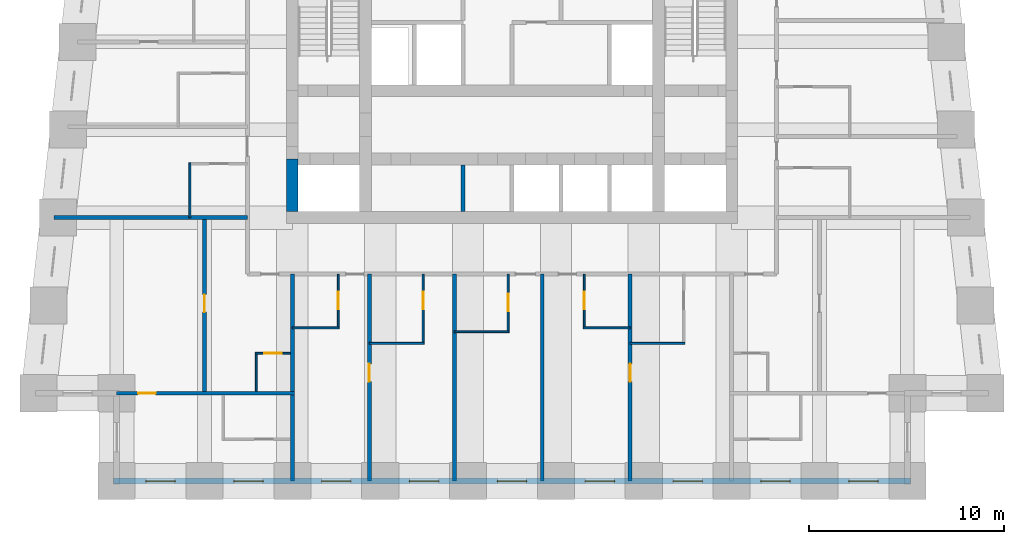
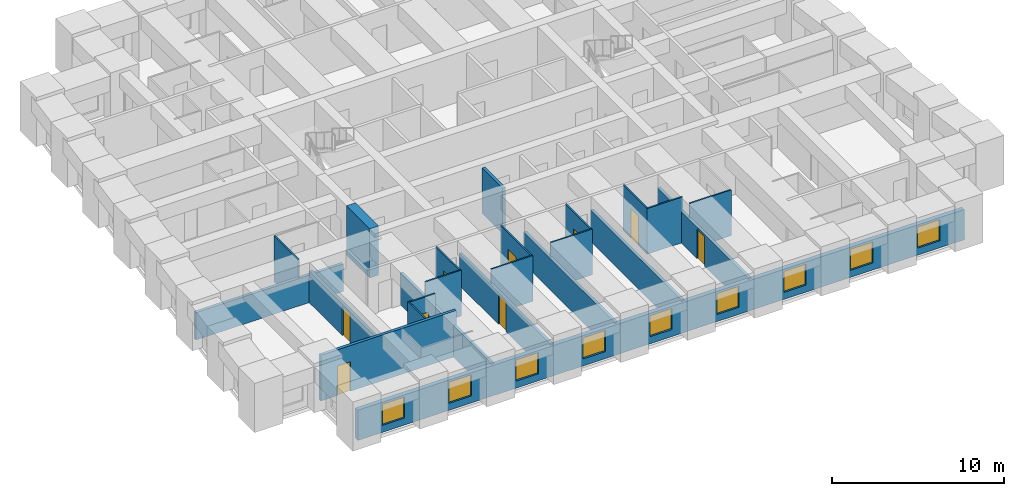
# One storey, part 2 of 8: 23 walls, 9 doors, 9 windows, 18 openings.
"""IFC4 building model written with IfcOpenShell, lengths in metres."""

from ifc_helpers import new_model, si_unit, direction, frame, frame_2d, origin, place, context, subcontext, project, spatial, rectangle, extrude, material, layer, layer_set, type_object, element, fill, save


model = new_model("IFC4")

# Units and contexts
model_context = context("Model", 3, precision=1e-05, world=origin(), true_north=direction((0.0, 1.0)))
body_context = subcontext(model_context, "Body", "Model", "MODEL_VIEW")
ifc_project = project(units=[si_unit("LENGTHUNIT", "METRE"), si_unit("AREAUNIT", "SQUARE_METRE"), si_unit("VOLUMEUNIT", "CUBIC_METRE"), si_unit("PLANEANGLEUNIT", "RADIAN"), si_unit("MASSUNIT", "GRAM", prefix="KILO")], contexts=[model_context])

# Site, building, storey
site_placement = place(None, origin())
site = spatial("IfcSite", under=ifc_project, at=site_placement, CompositionType="ELEMENT")
building_placement = place(site_placement, origin())
building = spatial("IfcBuilding", under=site, at=building_placement, Name="Kilele Tower Hotel", CompositionType="ELEMENT")
storey_placement = place(building_placement, frame((0.0, 0.0, 114.39990234375)))
storey = spatial("IfcBuildingStorey", under=building, at=storey_placement, Name="L29", CompositionType="ELEMENT", Elevation=114.39990234375)

# Wall
ifc_material_1 = material(Name="Moisture-resistant board")
ifc_layer_1 = layer(ifc_material_1, 0.10009765625)
ifc_layer_set_1 = layer_set([ifc_layer_1], Name="Moisture-resistant board")
wall_type_1 = type_object("IfcWallType", Name="Bathroom partition 100", PredefinedType="PLUMBINGWALL", material=ifc_layer_set_1)
wall_1_placement = place(storey_placement, frame((13.5, 7.85009765625, 0.0), z_axis=(0.0, 0.0, 1.0), x_axis=(1.0, 0.0, 0.0)))
element("IfcWall", 1, at=wall_1_placement, inside=storey, type_object=wall_type_1, Name="Bathroom partition 100 L29", PredefinedType="PLUMBINGWALL", context=body_context, shape_type="SweptSolid", body=[
    extrude(rectangle(XDim=2.39990234375, YDim=0.10009765625, at=frame_2d((1.199951171875, 0.0))), origin(), (0.0, 0.0, 1.0), 3.25),
])

# Wall, opening, door
wall_2_placement = place(storey_placement, frame((15.85009765625, 10.60009765625, 0.0), z_axis=(0.0, 0.0, 1.0), x_axis=(0.0, -1.0, 0.0)))
wall_2 = element("IfcWall", 2, at=wall_2_placement, inside=storey, type_object=wall_type_1, Name="Bathroom partition 100 L29", PredefinedType="PLUMBINGWALL", context=body_context, shape_type="SweptSolid", body=[
    extrude(rectangle(XDim=2.800048828125, YDim=0.10009765625, at=frame_2d((1.39990234375, 0.0))), origin(), (0.0, 0.0, 1.0), 3.25),
])
opening_1_placement = place(wall_2_placement, frame((0.89990234375, 0.0, 0.0)))
opening_1 = element("IfcOpeningElement", 3, at=opening_1_placement, cuts=wall_2, Name="Opening D2A", PredefinedType="OPENING", context=body_context, shape_type="SweptSolid", body=[
    extrude(rectangle(XDim=0.89990234375, YDim=2.10009765625, at=frame_2d((0.449951171875, 1.050048828125))), frame((0.0, 0.06005859375, 0.0), z_axis=(0.0, -1.0, 0.0), x_axis=(1.0, 0.0, 0.0)), (0.0, 0.0, 1.0), 0.1201171875),
])
ifc_material_2 = material(Name="Timber door leaf in hardwood frame", Category="wood")
door_type_1 = type_object("IfcDoorType", Name="Bathroom door 900", OperationType="SINGLE_SWING_LEFT", PredefinedType="DOOR", material=ifc_material_2)
door_1_placement = place(opening_1_placement, origin())
door_1 = element("IfcDoor", 4, at=door_1_placement, inside=storey, type_object=door_type_1, Name="Bathroom door 2901B", OperationType="SINGLE_SWING_LEFT", OverallHeight=2.10009765625, OverallWidth=0.89990234375, PredefinedType="DOOR", context=body_context, shape_type="SweptSolid", body=[
    extrude(rectangle(XDim=0.89990234375, YDim=2.10009765625, at=frame_2d((0.449951171875, 1.050048828125))), frame((0.0, 0.02490234375, 0.0), z_axis=(0.0, -1.0, 0.0), x_axis=(1.0, 0.0, 0.0)), (0.0, 0.0, 1.0), 0.050048828125),
])
fill(opening_1, door_1)

# Wall
wall_3_placement = place(storey_placement, frame((17.449951171875, 7.050048828125, 0.0), z_axis=(0.0, 0.0, 1.0), x_axis=(1.0, 0.0, 0.0)))
element("IfcWall", 5, at=wall_3_placement, inside=storey, type_object=wall_type_1, Name="Bathroom partition 100 L29", PredefinedType="PLUMBINGWALL", context=body_context, shape_type="SweptSolid", body=[
    extrude(rectangle(XDim=2.800048828125, YDim=0.10009765625, at=frame_2d((1.39990234375, 0.0))), origin(), (0.0, 0.0, 1.0), 3.25),
])

# Wall, opening, door
wall_4_placement = place(storey_placement, frame((20.199951171875, 10.60009765625, 0.0), z_axis=(0.0, 0.0, 1.0), x_axis=(0.0, -1.0, 0.0)))
wall_4 = element("IfcWall", 6, at=wall_4_placement, inside=storey, type_object=wall_type_1, Name="Bathroom partition 100 L29", PredefinedType="PLUMBINGWALL", context=body_context, shape_type="SweptSolid", body=[
    extrude(rectangle(XDim=3.60009765625, YDim=0.10009765625, at=frame_2d((1.800048828125, 0.0))), origin(), (0.0, 0.0, 1.0), 3.25),
])
opening_2_placement = place(wall_4_placement, frame((0.89990234375, 0.0, 0.0)))
opening_2 = element("IfcOpeningElement", 7, at=opening_2_placement, cuts=wall_4, Name="Opening D2A", PredefinedType="OPENING", context=body_context, shape_type="SweptSolid", body=[
    extrude(rectangle(XDim=0.89990234375, YDim=2.10009765625, at=frame_2d((0.449951171875, 1.050048828125))), frame((0.0, 0.06005859375, 0.0), z_axis=(0.0, -1.0, 0.0), x_axis=(1.0, 0.0, 0.0)), (0.0, 0.0, 1.0), 0.1201171875),
])
door_2_placement = place(opening_2_placement, origin())
door_2 = element("IfcDoor", 8, at=door_2_placement, inside=storey, type_object=door_type_1, Name="Bathroom door 2902B", OperationType="SINGLE_SWING_LEFT", OverallHeight=2.10009765625, OverallWidth=0.89990234375, PredefinedType="DOOR", context=body_context, shape_type="SweptSolid", body=[
    extrude(rectangle(XDim=0.89990234375, YDim=2.10009765625, at=frame_2d((0.449951171875, 1.050048828125))), frame((0.0, 0.02490234375, 0.0), z_axis=(0.0, -1.0, 0.0), x_axis=(1.0, 0.0, 0.0)), (0.0, 0.0, 1.0), 0.050048828125),
])
fill(opening_2, door_2)

# Wall
wall_5_placement = place(storey_placement, frame((21.800048828125, 7.64990234375, 0.0), z_axis=(0.0, 0.0, 1.0), x_axis=(1.0, 0.0, 0.0)))
element("IfcWall", 9, at=wall_5_placement, inside=storey, type_object=wall_type_1, Name="Bathroom partition 100 L29", PredefinedType="PLUMBINGWALL", context=body_context, shape_type="SweptSolid", body=[
    extrude(rectangle(XDim=2.800048828125, YDim=0.10009765625, at=frame_2d((1.39990234375, 0.0))), origin(), (0.0, 0.0, 1.0), 3.25),
])

# Wall, opening, door
wall_6_placement = place(storey_placement, frame((24.550048828125, 10.60009765625, 0.0), z_axis=(0.0, 0.0, 1.0), x_axis=(0.0, -1.0, 0.0)))
wall_6 = element("IfcWall", 10, at=wall_6_placement, inside=storey, type_object=wall_type_1, Name="Bathroom partition 100 L29", PredefinedType="PLUMBINGWALL", context=body_context, shape_type="SweptSolid", body=[
    extrude(rectangle(XDim=3.0, YDim=0.10009765625, at=frame_2d((1.5, 0.0))), origin(), (0.0, 0.0, 1.0), 3.25),
])
opening_3_placement = place(wall_6_placement, frame((1.0, 0.0, 0.0)))
opening_3 = element("IfcOpeningElement", 11, at=opening_3_placement, cuts=wall_6, Name="Opening D2A", PredefinedType="OPENING", context=body_context, shape_type="SweptSolid", body=[
    extrude(rectangle(XDim=0.89990234375, YDim=2.10009765625, at=frame_2d((0.449951171875, 1.050048828125))), frame((0.0, 0.06005859375, 0.0), z_axis=(0.0, -1.0, 0.0), x_axis=(1.0, 0.0, 0.0)), (0.0, 0.0, 1.0), 0.1201171875),
])
door_3_placement = place(opening_3_placement, origin())
door_3 = element("IfcDoor", 12, at=door_3_placement, inside=storey, type_object=door_type_1, Name="Bathroom door 2903B", OperationType="SINGLE_SWING_LEFT", OverallHeight=2.10009765625, OverallWidth=0.89990234375, PredefinedType="DOOR", context=body_context, shape_type="SweptSolid", body=[
    extrude(rectangle(XDim=0.89990234375, YDim=2.10009765625, at=frame_2d((0.449951171875, 1.050048828125))), frame((0.0, 0.02490234375, 0.0), z_axis=(0.0, -1.0, 0.0), x_axis=(1.0, 0.0, 0.0)), (0.0, 0.0, 1.0), 0.050048828125),
])
fill(opening_3, door_3)

# Wall
wall_7_placement = place(storey_placement, frame((28.39990234375, 7.85009765625, 0.0), z_axis=(0.0, 0.0, 1.0), x_axis=(1.0, 0.0, 0.0)))
element("IfcWall", 13, at=wall_7_placement, inside=storey, type_object=wall_type_1, Name="Bathroom partition 100 L29", PredefinedType="PLUMBINGWALL", context=body_context, shape_type="SweptSolid", body=[
    extrude(rectangle(XDim=2.400146484375, YDim=0.10009765625, at=frame_2d((1.2001953125, 0.0))), origin(), (0.0, 0.0, 1.0), 3.25),
])

# Wall, opening, door
wall_8_placement = place(storey_placement, frame((28.449951171875, 10.60009765625, 0.0), z_axis=(0.0, 0.0, 1.0), x_axis=(0.0, -1.0, 0.0)))
wall_8 = element("IfcWall", 14, at=wall_8_placement, inside=storey, type_object=wall_type_1, Name="Bathroom partition 100 L29", PredefinedType="PLUMBINGWALL", context=body_context, shape_type="SweptSolid", body=[
    extrude(rectangle(XDim=2.800048828125, YDim=0.10009765625, at=frame_2d((1.39990234375, 0.0))), origin(), (0.0, 0.0, 1.0), 3.25),
])
opening_4_placement = place(wall_8_placement, frame((1.7998046875, 0.0, 0.0), z_axis=(0.0, 0.0, 1.0), x_axis=(-1.0, 0.0, 0.0)))
opening_4 = element("IfcOpeningElement", 15, at=opening_4_placement, cuts=wall_8, Name="Opening D2A", PredefinedType="OPENING", context=body_context, shape_type="SweptSolid", body=[
    extrude(rectangle(XDim=0.89990234375, YDim=2.10009765625, at=frame_2d((0.449951171875, 1.050048828125))), frame((0.0, 0.06005859375, 0.0), z_axis=(0.0, -1.0, 0.0), x_axis=(1.0, 0.0, 0.0)), (0.0, 0.0, 1.0), 0.1201171875),
])
door_4_placement = place(opening_4_placement, origin())
door_4 = element("IfcDoor", 16, at=door_4_placement, inside=storey, type_object=door_type_1, Name="Bathroom door 2904B", OperationType="SINGLE_SWING_RIGHT", OverallHeight=2.10009765625, OverallWidth=0.89990234375, PredefinedType="DOOR", context=body_context, shape_type="SweptSolid", body=[
    extrude(rectangle(XDim=0.89990234375, YDim=2.10009765625, at=frame_2d((0.449951171875, 1.050048828125))), frame((0.0, 0.02490234375, 0.0), z_axis=(0.0, -1.0, 0.0), x_axis=(1.0, 0.0, 0.0)), (0.0, 0.0, 1.0), 0.050048828125),
])
fill(opening_4, door_4)

# Walls
for number, where, z_axis, x_axis, name in (
    (17, (30.800048828125, 7.050048828125, 0.0), (0.0, 0.0, 1.0), (1.0, 0.0, 0.0), "Bathroom partition 100 L29"),
    (18, (8.25, 13.5, 0.0), (0.0, 0.0, 1.0), (0.0, 1.0, 0.0), "Bathroom partition 100 L29"),
):
    element("IfcWall", number, at=place(storey_placement, frame(where, z_axis=z_axis, x_axis=x_axis)), inside=storey, type_object=wall_type_1, Name=name, PredefinedType="PLUMBINGWALL", context=body_context, shape_type="SweptSolid", body=[
        extrude(rectangle(XDim=2.800048828125, YDim=0.10009765625, at=frame_2d((1.39990234375, 0.0))), origin(), (0.0, 0.0, 1.0), 3.25),
    ])
wall_9_placement = place(storey_placement, frame((11.64990234375, 4.60009765625, 0.0), z_axis=(0.0, 0.0, 1.0), x_axis=(0.0, 1.0, 0.0)))
element("IfcWall", 19, at=wall_9_placement, inside=storey, type_object=wall_type_1, Name="Bathroom partition 100 L29", PredefinedType="PLUMBINGWALL", context=body_context, shape_type="SweptSolid", body=[
    extrude(rectangle(XDim=2.0, YDim=0.10009765625, at=frame_2d((1.0, 0.0))), origin(), (0.0, 0.0, 1.0), 3.25),
])

# Wall, opening, door
wall_10_placement = place(storey_placement, frame((13.39990234375, 6.550048828125, 0.0), z_axis=(0.0, 0.0, 1.0), x_axis=(-1.0, 0.0, 0.0)))
wall_10 = element("IfcWall", 20, at=wall_10_placement, inside=storey, type_object=wall_type_1, Name="Bathroom partition 100 L29", PredefinedType="PLUMBINGWALL", context=body_context, shape_type="SweptSolid", body=[
    extrude(rectangle(XDim=1.7998046875, YDim=0.10009765625, at=frame_2d((0.89990234375, 0.0))), origin(), (0.0, 0.0, 1.0), 3.25),
])
opening_5_placement = place(wall_10_placement, frame((1.349853515625, 0.0, 0.0), z_axis=(0.0, 0.0, 1.0), x_axis=(-1.0, 0.0, 0.0)))
opening_5 = element("IfcOpeningElement", 21, at=opening_5_placement, cuts=wall_10, Name="Opening D2A", PredefinedType="OPENING", context=body_context, shape_type="SweptSolid", body=[
    extrude(rectangle(XDim=0.89990234375, YDim=2.10009765625, at=frame_2d((0.449951171875, 1.050048828125))), frame((0.0, 0.06005859375, 0.0), z_axis=(0.0, -1.0, 0.0), x_axis=(1.0, 0.0, 0.0)), (0.0, 0.0, 1.0), 0.1201171875),
])
door_5_placement = place(opening_5_placement, origin())
door_5 = element("IfcDoor", 22, at=door_5_placement, inside=storey, type_object=door_type_1, Name="Bathroom door 2917P", OperationType="SINGLE_SWING_RIGHT", OverallHeight=2.10009765625, OverallWidth=0.89990234375, PredefinedType="DOOR", context=body_context, shape_type="SweptSolid", body=[
    extrude(rectangle(XDim=0.89990234375, YDim=2.10009765625, at=frame_2d((0.449951171875, 1.050048828125))), frame((0.0, 0.02490234375, 0.0), z_axis=(0.0, -1.0, 0.0), x_axis=(1.0, 0.0, 0.0)), (0.0, 0.0, 1.0), 0.050048828125),
])
fill(opening_5, door_5)

# Wall
ifc_material_3 = material(Name="Concrete C60/75", Category="concrete")
ifc_layer_2 = layer(ifc_material_3, 0.60009765625)
ifc_layer_set_2 = layer_set([ifc_layer_2], Name="Concrete C60/75")
wall_type_2 = type_object("IfcWallType", Name="Core wall 600 C60/75", PredefinedType="SHEAR", material=ifc_layer_set_2)
wall_11_placement = place(storey_placement, frame((13.5, 16.5, 0.0), z_axis=(0.0, 0.0, 1.0), x_axis=(0.0, -1.0, 0.0)))
element("IfcWall", 23, at=wall_11_placement, inside=storey, type_object=wall_type_2, Name="Core wall W3 L29", PredefinedType="SHEAR", context=body_context, shape_type="SweptSolid", body=[
    extrude(rectangle(XDim=2.699951171875, YDim=0.60009765625, at=frame_2d((1.35009765625, 0.0))), origin(), (0.0, 0.0, 1.0), 3.5),
])

# Wall, opening, door
ifc_material_4 = material(Name="Blockwork, plastered both sides", Category="masonry")
ifc_layer_3 = layer(ifc_material_4, 0.199951171875)
ifc_layer_set_3 = layer_set([ifc_layer_3], Name="Blockwork, plastered both sides")
wall_type_3 = type_object("IfcWallType", Name="Partition wall 200", PredefinedType="PARTITIONING", material=ifc_layer_set_3)
wall_12_placement = place(storey_placement, frame((9.0, 4.60009765625, 0.0), z_axis=(0.0, 0.0, 1.0), x_axis=(0.0, 1.0, 0.0)))
wall_12 = element("IfcWall", 24, at=wall_12_placement, inside=storey, type_object=wall_type_3, Name="Partition wall 200 L29", PredefinedType="PARTITIONING", context=body_context, shape_type="SweptSolid", body=[
    extrude(rectangle(XDim=8.7998046875, YDim=0.199951171875, at=frame_2d((4.39990234375, 0.0))), origin(), (0.0, 0.0, 1.0), 2.25),
])
opening_6_placement = place(wall_12_placement, frame((4.050048828125, 0.0, 0.0)))
opening_6 = element("IfcOpeningElement", 25, at=opening_6_placement, cuts=wall_12, Name="Opening D3", PredefinedType="OPENING", context=body_context, shape_type="SweptSolid", body=[
    extrude(rectangle(XDim=0.89990234375, YDim=2.10009765625, at=frame_2d((0.449951171875, 1.050048828125))), frame((0.0, 0.10986328125, 0.0), z_axis=(0.0, -1.0, 0.0), x_axis=(1.0, 0.0, 0.0)), (0.0, 0.0, 1.0), 0.219970703125),
])
ifc_material_5 = material(Name="Timber door leaf in hardwood frame", Category="wood")
door_type_2 = type_object("IfcDoorType", Name="Suite internal door 900", OperationType="SINGLE_SWING_LEFT", PredefinedType="DOOR", material=ifc_material_5)
door_6_placement = place(opening_6_placement, origin())
door_6 = element("IfcDoor", 26, at=door_6_placement, inside=storey, type_object=door_type_2, Name="Suite door 2918", OperationType="SINGLE_SWING_RIGHT", OverallHeight=2.10009765625, OverallWidth=0.89990234375, PredefinedType="DOOR", context=body_context, shape_type="SweptSolid", body=[
    extrude(rectangle(XDim=0.89990234375, YDim=2.10009765625, at=frame_2d((0.449951171875, 1.050048828125))), frame((0.0, 0.02490234375, 0.0), z_axis=(0.0, -1.0, 0.0), x_axis=(1.0, 0.0, 0.0)), (0.0, 0.0, 1.0), 0.050048828125),
])
fill(opening_6, door_6)

ifc_material_6 = material(Name="Blockwork, plastered both sides", Category="masonry")
ifc_layer_4 = layer(ifc_material_6, 0.199951171875)
ifc_layer_set_4 = layer_set([ifc_layer_4], Name="Blockwork, plastered both sides")
wall_type_4 = type_object("IfcWallType", Name="Party wall 200", PredefinedType="PARTITIONING", material=ifc_layer_set_4)
wall_13_placement = place(storey_placement, frame((17.449951171875, 10.60009765625, 0.0), z_axis=(0.0, 0.0, 1.0), x_axis=(0.0, -1.0, 0.0)))
wall_13 = element("IfcWall", 27, at=wall_13_placement, inside=storey, type_object=wall_type_4, Name="Party wall 200 L29", PredefinedType="PARTITIONING", context=body_context, shape_type="SweptSolid", body=[
    extrude(rectangle(XDim=10.60009765625, YDim=0.199951171875, at=frame_2d((5.300048828125, 0.0))), origin(), (0.0, 0.0, 1.0), 2.25),
])
opening_7_placement = place(wall_13_placement, frame((4.60009765625, 0.0, 0.0)))
opening_7 = element("IfcOpeningElement", 28, at=opening_7_placement, cuts=wall_13, Name="Opening D3", PredefinedType="OPENING", context=body_context, shape_type="SweptSolid", body=[
    extrude(rectangle(XDim=0.89990234375, YDim=2.10009765625, at=frame_2d((0.449951171875, 1.050048828125))), frame((0.0, 0.10986328125, 0.0), z_axis=(0.0, -1.0, 0.0), x_axis=(1.0, 0.0, 0.0)), (0.0, 0.0, 1.0), 0.219970703125),
])
door_7_placement = place(opening_7_placement, origin())
door_7 = element("IfcDoor", 29, at=door_7_placement, inside=storey, type_object=door_type_2, Name="Suite door 2902", OperationType="SINGLE_SWING_LEFT", OverallHeight=2.10009765625, OverallWidth=0.89990234375, PredefinedType="DOOR", context=body_context, shape_type="SweptSolid", body=[
    extrude(rectangle(XDim=0.89990234375, YDim=2.10009765625, at=frame_2d((0.449951171875, 1.050048828125))), frame((0.0, 0.02490234375, 0.0), z_axis=(0.0, -1.0, 0.0), x_axis=(1.0, 0.0, 0.0)), (0.0, 0.0, 1.0), 0.050048828125),
])
fill(opening_7, door_7)

# Walls
for number, where, z_axis, x_axis, name in (
    (30, (21.800048828125, 10.60009765625, 0.0), (0.0, 0.0, 1.0), (0.0, -1.0, 0.0), "Party wall 200 L29"),
    (31, (26.300048828125, 10.60009765625, 0.0), (0.0, 0.0, 1.0), (0.0, -1.0, 0.0), "Party wall 200 L29"),
):
    element("IfcWall", number, at=place(storey_placement, frame(where, z_axis=z_axis, x_axis=x_axis)), inside=storey, type_object=wall_type_4, Name=name, PredefinedType="PARTITIONING", context=body_context, shape_type="SweptSolid", body=[
        extrude(rectangle(XDim=10.60009765625, YDim=0.199951171875, at=frame_2d((5.300048828125, 0.0))), origin(), (0.0, 0.0, 1.0), 2.25),
    ])

# Wall, opening, door
wall_14_placement = place(storey_placement, frame((30.800048828125, 10.60009765625, 0.0), z_axis=(0.0, 0.0, 1.0), x_axis=(0.0, -1.0, 0.0)))
wall_14 = element("IfcWall", 32, at=wall_14_placement, inside=storey, type_object=wall_type_4, Name="Party wall 200 L29", PredefinedType="PARTITIONING", context=body_context, shape_type="SweptSolid", body=[
    extrude(rectangle(XDim=10.60009765625, YDim=0.199951171875, at=frame_2d((5.300048828125, 0.0))), origin(), (0.0, 0.0, 1.0), 2.25),
])
opening_8_placement = place(wall_14_placement, frame((4.60009765625, 0.0, 0.0)))
opening_8 = element("IfcOpeningElement", 33, at=opening_8_placement, cuts=wall_14, Name="Opening D3", PredefinedType="OPENING", context=body_context, shape_type="SweptSolid", body=[
    extrude(rectangle(XDim=0.89990234375, YDim=2.10009765625, at=frame_2d((0.449951171875, 1.050048828125))), frame((0.0, 0.10986328125, 0.0), z_axis=(0.0, -1.0, 0.0), x_axis=(1.0, 0.0, 0.0)), (0.0, 0.0, 1.0), 0.219970703125),
])
door_8_placement = place(opening_8_placement, origin())
door_8 = element("IfcDoor", 34, at=door_8_placement, inside=storey, type_object=door_type_2, Name="Suite door 2905", OperationType="SINGLE_SWING_LEFT", OverallHeight=2.10009765625, OverallWidth=0.89990234375, PredefinedType="DOOR", context=body_context, shape_type="SweptSolid", body=[
    extrude(rectangle(XDim=0.89990234375, YDim=2.10009765625, at=frame_2d((0.449951171875, 1.050048828125))), frame((0.0, 0.02490234375, 0.0), z_axis=(0.0, -1.0, 0.0), x_axis=(1.0, 0.0, 0.0)), (0.0, 0.0, 1.0), 0.050048828125),
])
fill(opening_8, door_8)

# Walls
wall_15_placement = place(storey_placement, frame((11.199951171875, 13.5, 0.0), z_axis=(0.0, 0.0, 1.0), x_axis=(-1.0, 0.0, 0.0)))
element("IfcWall", 35, at=wall_15_placement, inside=storey, type_object=wall_type_4, Name="Party wall 200 L29", PredefinedType="PARTITIONING", context=body_context, shape_type="SweptSolid", body=[
    extrude(rectangle(XDim=9.921142578125, YDim=0.199951171875, at=frame_2d((4.96044921875, 0.0))), origin(), (0.0, 0.0, 1.0), 1.9501953125),
])
wall_16_placement = place(storey_placement, frame((13.5, 10.60009765625, 0.0), z_axis=(0.0, 0.0, 1.0), x_axis=(0.0, -1.0, 0.0)))
element("IfcWall", 36, at=wall_16_placement, inside=storey, type_object=wall_type_4, Name="Party wall 200 L29", PredefinedType="PARTITIONING", context=body_context, shape_type="SweptSolid", body=[
    extrude(rectangle(XDim=10.60009765625, YDim=0.199951171875, at=frame_2d((5.300048828125, 0.0))), origin(), (0.0, 0.0, 1.0), 2.25),
])

# Wall, opening, door
wall_17_placement = place(storey_placement, frame((13.60009765625, 4.5, 0.0), z_axis=(0.0, 0.0, 1.0), x_axis=(-1.0, 0.0, 0.0)))
wall_17 = element("IfcWall", 37, at=wall_17_placement, inside=storey, type_object=wall_type_4, Name="Party wall 200 L29", PredefinedType="PARTITIONING", context=body_context, shape_type="SweptSolid", body=[
    extrude(rectangle(XDim=9.10009765625, YDim=0.199951171875, at=frame_2d((4.550048828125, 0.0))), origin(), (0.0, 0.0, 1.0), 3.25),
])
opening_9_placement = place(wall_17_placement, frame((7.10009765625, 0.0, 0.0)))
opening_9 = element("IfcOpeningElement", 38, at=opening_9_placement, cuts=wall_17, Name="Opening D3", PredefinedType="OPENING", context=body_context, shape_type="SweptSolid", body=[
    extrude(rectangle(XDim=0.89990234375, YDim=2.10009765625, at=frame_2d((0.449951171875, 1.050048828125))), frame((0.0, 0.10986328125, 0.0), z_axis=(0.0, -1.0, 0.0), x_axis=(1.0, 0.0, 0.0)), (0.0, 0.0, 1.0), 0.219970703125),
])
door_9_placement = place(opening_9_placement, origin())
door_9 = element("IfcDoor", 39, at=door_9_placement, inside=storey, type_object=door_type_2, Name="Suite door 2919", OperationType="SINGLE_SWING_RIGHT", OverallHeight=2.10009765625, OverallWidth=0.89990234375, PredefinedType="DOOR", context=body_context, shape_type="SweptSolid", body=[
    extrude(rectangle(XDim=0.89990234375, YDim=2.10009765625, at=frame_2d((0.449951171875, 1.050048828125))), frame((0.0, 0.02490234375, 0.0), z_axis=(0.0, -1.0, 0.0), x_axis=(1.0, 0.0, 0.0)), (0.0, 0.0, 1.0), 0.050048828125),
])
fill(opening_9, door_9)

# Wall, openings, windows
ifc_material_7 = material(Name="Concrete C40/50 precast", Category="concrete")
ifc_layer_5 = layer(ifc_material_7, 0.260009765625, Name="Precast backing", Category="LoadBearing")
ifc_material_8 = material(Name="Reconstituted stone finish", Category="masonry")
ifc_layer_6 = layer(ifc_material_8, 0.0400390625, Name="Face mix", Category="Finish")
ifc_layer_set_5 = layer_set([ifc_layer_5, ifc_layer_6], Name="Precast concrete C40/50, reconstituted stone finish")
wall_type_5 = type_object("IfcWallType", Name="Precast stone facade wall 300", PredefinedType="STANDARD", material=ifc_layer_set_5)
wall_18_placement = place(storey_placement, frame((4.35009765625, 0.0, 0.0), z_axis=(0.0, 0.0, 1.0), x_axis=(1.0, 0.0, 0.0)))
wall_18 = element("IfcWall", 40, at=wall_18_placement, inside=storey, type_object=wall_type_5, Name="Facade wall L29 edge 3", PredefinedType="STANDARD", context=body_context, shape_type="SweptSolid", body=[
    extrude(rectangle(XDim=40.7998046875, YDim=0.300048828125, at=frame_2d((20.39990234375, 0.0))), origin(), (0.0, 0.0, 1.0), 2.150146484375),
])
opening_10_placement = place(wall_18_placement, frame((1.64990234375, 0.0, 0.5)))
opening_10 = element("IfcOpeningElement", 41, at=opening_10_placement, cuts=wall_18, Name="Opening W2", PredefinedType="OPENING", context=body_context, shape_type="SweptSolid", body=[
    extrude(rectangle(XDim=1.5, YDim=1.5, at=frame_2d((0.75, 0.75))), frame((0.0, 0.159912109375, 0.0), z_axis=(0.0, -1.0, 0.0), x_axis=(1.0, 0.0, 0.0)), (0.0, 0.0, 1.0), 0.320068359375),
])
opening_11_placement = place(wall_18_placement, frame((6.14990234375, 0.0, 0.5)))
opening_11 = element("IfcOpeningElement", 42, at=opening_11_placement, cuts=wall_18, Name="Opening W2", PredefinedType="OPENING", context=body_context, shape_type="SweptSolid", body=[
    extrude(rectangle(XDim=1.5, YDim=1.5, at=frame_2d((0.75, 0.75))), frame((0.0, 0.159912109375, 0.0), z_axis=(0.0, -1.0, 0.0), x_axis=(1.0, 0.0, 0.0)), (0.0, 0.0, 1.0), 0.320068359375),
])
opening_12_placement = place(wall_18_placement, frame((10.64990234375, 0.0, 0.5)))
opening_12 = element("IfcOpeningElement", 43, at=opening_12_placement, cuts=wall_18, Name="Opening W2", PredefinedType="OPENING", context=body_context, shape_type="SweptSolid", body=[
    extrude(rectangle(XDim=1.5, YDim=1.5, at=frame_2d((0.75, 0.75))), frame((0.0, 0.159912109375, 0.0), z_axis=(0.0, -1.0, 0.0), x_axis=(1.0, 0.0, 0.0)), (0.0, 0.0, 1.0), 0.320068359375),
])
opening_13_placement = place(wall_18_placement, frame((15.14990234375, 0.0, 0.5)))
opening_13 = element("IfcOpeningElement", 44, at=opening_13_placement, cuts=wall_18, Name="Opening W2", PredefinedType="OPENING", context=body_context, shape_type="SweptSolid", body=[
    extrude(rectangle(XDim=1.5, YDim=1.5, at=frame_2d((0.75, 0.75))), frame((0.0, 0.159912109375, 0.0), z_axis=(0.0, -1.0, 0.0), x_axis=(1.0, 0.0, 0.0)), (0.0, 0.0, 1.0), 0.320068359375),
])
opening_14_placement = place(wall_18_placement, frame((19.64990234375, 0.0, 0.5)))
opening_14 = element("IfcOpeningElement", 45, at=opening_14_placement, cuts=wall_18, Name="Opening W2", PredefinedType="OPENING", context=body_context, shape_type="SweptSolid", body=[
    extrude(rectangle(XDim=1.5, YDim=1.5, at=frame_2d((0.75, 0.75))), frame((0.0, 0.159912109375, 0.0), z_axis=(0.0, -1.0, 0.0), x_axis=(1.0, 0.0, 0.0)), (0.0, 0.0, 1.0), 0.320068359375),
])
opening_15_placement = place(wall_18_placement, frame((24.14990234375, 0.0, 0.5)))
opening_15 = element("IfcOpeningElement", 46, at=opening_15_placement, cuts=wall_18, Name="Opening W2", PredefinedType="OPENING", context=body_context, shape_type="SweptSolid", body=[
    extrude(rectangle(XDim=1.5, YDim=1.5, at=frame_2d((0.75, 0.75))), frame((0.0, 0.159912109375, 0.0), z_axis=(0.0, -1.0, 0.0), x_axis=(1.0, 0.0, 0.0)), (0.0, 0.0, 1.0), 0.320068359375),
])
opening_16_placement = place(wall_18_placement, frame((28.64990234375, 0.0, 0.5)))
opening_16 = element("IfcOpeningElement", 47, at=opening_16_placement, cuts=wall_18, Name="Opening W2", PredefinedType="OPENING", context=body_context, shape_type="SweptSolid", body=[
    extrude(rectangle(XDim=1.5, YDim=1.5, at=frame_2d((0.75, 0.75))), frame((0.0, 0.159912109375, 0.0), z_axis=(0.0, -1.0, 0.0), x_axis=(1.0, 0.0, 0.0)), (0.0, 0.0, 1.0), 0.320068359375),
])
opening_17_placement = place(wall_18_placement, frame((33.14990234375, 0.0, 0.5)))
opening_17 = element("IfcOpeningElement", 48, at=opening_17_placement, cuts=wall_18, Name="Opening W2", PredefinedType="OPENING", context=body_context, shape_type="SweptSolid", body=[
    extrude(rectangle(XDim=1.5, YDim=1.5, at=frame_2d((0.75, 0.75))), frame((0.0, 0.159912109375, 0.0), z_axis=(0.0, -1.0, 0.0), x_axis=(1.0, 0.0, 0.0)), (0.0, 0.0, 1.0), 0.320068359375),
])
opening_18_placement = place(wall_18_placement, frame((37.64990234375, 0.0, 0.5)))
opening_18 = element("IfcOpeningElement", 49, at=opening_18_placement, cuts=wall_18, Name="Opening W2", PredefinedType="OPENING", context=body_context, shape_type="SweptSolid", body=[
    extrude(rectangle(XDim=1.5, YDim=1.5, at=frame_2d((0.75, 0.75))), frame((0.0, 0.159912109375, 0.0), z_axis=(0.0, -1.0, 0.0), x_axis=(1.0, 0.0, 0.0)), (0.0, 0.0, 1.0), 0.320068359375),
])
ifc_material_9 = material(Name="Aluminium frame, clear double glazing", Category="aluminium")
window_type = type_object("IfcWindowType", Name="Window W2 1500 x 1500", PartitioningType="SINGLE_PANEL", PredefinedType="WINDOW", material=ifc_material_9)
window_1_placement = place(opening_10_placement, origin())
window_1 = element("IfcWindow", 50, at=window_1_placement, inside=storey, type_object=window_type, Name="Window L29", OverallHeight=1.5, OverallWidth=1.5, PartitioningType="SINGLE_PANEL", PredefinedType="WINDOW", context=body_context, shape_type="SweptSolid", body=[
    extrude(rectangle(XDim=1.5, YDim=1.5, at=frame_2d((0.75, 0.75))), frame((0.0, 0.030029296875, 0.0), z_axis=(0.0, -1.0, 0.0), x_axis=(1.0, 0.0, 0.0)), (0.0, 0.0, 1.0), 0.06005859375),
])
fill(opening_10, window_1)
window_2_placement = place(opening_11_placement, origin())
window_2 = element("IfcWindow", 51, at=window_2_placement, inside=storey, type_object=window_type, Name="Window L29", OverallHeight=1.5, OverallWidth=1.5, PartitioningType="SINGLE_PANEL", PredefinedType="WINDOW", context=body_context, shape_type="SweptSolid", body=[
    extrude(rectangle(XDim=1.5, YDim=1.5, at=frame_2d((0.75, 0.75))), frame((0.0, 0.030029296875, 0.0), z_axis=(0.0, -1.0, 0.0), x_axis=(1.0, 0.0, 0.0)), (0.0, 0.0, 1.0), 0.06005859375),
])
fill(opening_11, window_2)
window_3_placement = place(opening_12_placement, origin())
window_3 = element("IfcWindow", 52, at=window_3_placement, inside=storey, type_object=window_type, Name="Window L29", OverallHeight=1.5, OverallWidth=1.5, PartitioningType="SINGLE_PANEL", PredefinedType="WINDOW", context=body_context, shape_type="SweptSolid", body=[
    extrude(rectangle(XDim=1.5, YDim=1.5, at=frame_2d((0.75, 0.75))), frame((0.0, 0.030029296875, 0.0), z_axis=(0.0, -1.0, 0.0), x_axis=(1.0, 0.0, 0.0)), (0.0, 0.0, 1.0), 0.06005859375),
])
fill(opening_12, window_3)
window_4_placement = place(opening_13_placement, origin())
window_4 = element("IfcWindow", 53, at=window_4_placement, inside=storey, type_object=window_type, Name="Window L29", OverallHeight=1.5, OverallWidth=1.5, PartitioningType="SINGLE_PANEL", PredefinedType="WINDOW", context=body_context, shape_type="SweptSolid", body=[
    extrude(rectangle(XDim=1.5, YDim=1.5, at=frame_2d((0.75, 0.75))), frame((0.0, 0.030029296875, 0.0), z_axis=(0.0, -1.0, 0.0), x_axis=(1.0, 0.0, 0.0)), (0.0, 0.0, 1.0), 0.06005859375),
])
fill(opening_13, window_4)
window_5_placement = place(opening_14_placement, origin())
window_5 = element("IfcWindow", 54, at=window_5_placement, inside=storey, type_object=window_type, Name="Window L29", OverallHeight=1.5, OverallWidth=1.5, PartitioningType="SINGLE_PANEL", PredefinedType="WINDOW", context=body_context, shape_type="SweptSolid", body=[
    extrude(rectangle(XDim=1.5, YDim=1.5, at=frame_2d((0.75, 0.75))), frame((0.0, 0.030029296875, 0.0), z_axis=(0.0, -1.0, 0.0), x_axis=(1.0, 0.0, 0.0)), (0.0, 0.0, 1.0), 0.06005859375),
])
fill(opening_14, window_5)
window_6_placement = place(opening_15_placement, origin())
window_6 = element("IfcWindow", 55, at=window_6_placement, inside=storey, type_object=window_type, Name="Window L29", OverallHeight=1.5, OverallWidth=1.5, PartitioningType="SINGLE_PANEL", PredefinedType="WINDOW", context=body_context, shape_type="SweptSolid", body=[
    extrude(rectangle(XDim=1.5, YDim=1.5, at=frame_2d((0.75, 0.75))), frame((0.0, 0.030029296875, 0.0), z_axis=(0.0, -1.0, 0.0), x_axis=(1.0, 0.0, 0.0)), (0.0, 0.0, 1.0), 0.06005859375),
])
fill(opening_15, window_6)
window_7_placement = place(opening_16_placement, origin())
window_7 = element("IfcWindow", 56, at=window_7_placement, inside=storey, type_object=window_type, Name="Window L29", OverallHeight=1.5, OverallWidth=1.5, PartitioningType="SINGLE_PANEL", PredefinedType="WINDOW", context=body_context, shape_type="SweptSolid", body=[
    extrude(rectangle(XDim=1.5, YDim=1.5, at=frame_2d((0.75, 0.75))), frame((0.0, 0.030029296875, 0.0), z_axis=(0.0, -1.0, 0.0), x_axis=(1.0, 0.0, 0.0)), (0.0, 0.0, 1.0), 0.06005859375),
])
fill(opening_16, window_7)
window_8_placement = place(opening_17_placement, origin())
window_8 = element("IfcWindow", 57, at=window_8_placement, inside=storey, type_object=window_type, Name="Window L29", OverallHeight=1.5, OverallWidth=1.5, PartitioningType="SINGLE_PANEL", PredefinedType="WINDOW", context=body_context, shape_type="SweptSolid", body=[
    extrude(rectangle(XDim=1.5, YDim=1.5, at=frame_2d((0.75, 0.75))), frame((0.0, 0.030029296875, 0.0), z_axis=(0.0, -1.0, 0.0), x_axis=(1.0, 0.0, 0.0)), (0.0, 0.0, 1.0), 0.06005859375),
])
fill(opening_17, window_8)
window_9_placement = place(opening_18_placement, origin())
window_9 = element("IfcWindow", 58, at=window_9_placement, inside=storey, type_object=window_type, Name="Window L29", OverallHeight=1.5, OverallWidth=1.5, PartitioningType="SINGLE_PANEL", PredefinedType="WINDOW", context=body_context, shape_type="SweptSolid", body=[
    extrude(rectangle(XDim=1.5, YDim=1.5, at=frame_2d((0.75, 0.75))), frame((0.0, 0.030029296875, 0.0), z_axis=(0.0, -1.0, 0.0), x_axis=(1.0, 0.0, 0.0)), (0.0, 0.0, 1.0), 0.06005859375),
])
fill(opening_18, window_9)

# Wall
ifc_material_10 = material(Name="Blockwork, fire-rated", Category="masonry")
ifc_layer_7 = layer(ifc_material_10, 0.199951171875)
ifc_layer_set_6 = layer_set([ifc_layer_7], Name="Blockwork, fire-rated")
wall_type_6 = type_object("IfcWallType", Name="Shaft wall 200", PredefinedType="PARTITIONING", material=ifc_layer_set_6)
wall_19_placement = place(storey_placement, frame((22.25, 13.800048828125, 0.0), z_axis=(0.0, 0.0, 1.0), x_axis=(0.0, 1.0, 0.0)))
element("IfcWall", 59, at=wall_19_placement, inside=storey, type_object=wall_type_6, Name="Shaft wall 200 L29", PredefinedType="PARTITIONING", context=body_context, shape_type="SweptSolid", body=[
    extrude(rectangle(XDim=2.39990234375, YDim=0.199951171875, at=frame_2d((1.199951171875, 0.0))), origin(), (0.0, 0.0, 1.0), 3.25),
])

save(model, "model.ifc")
